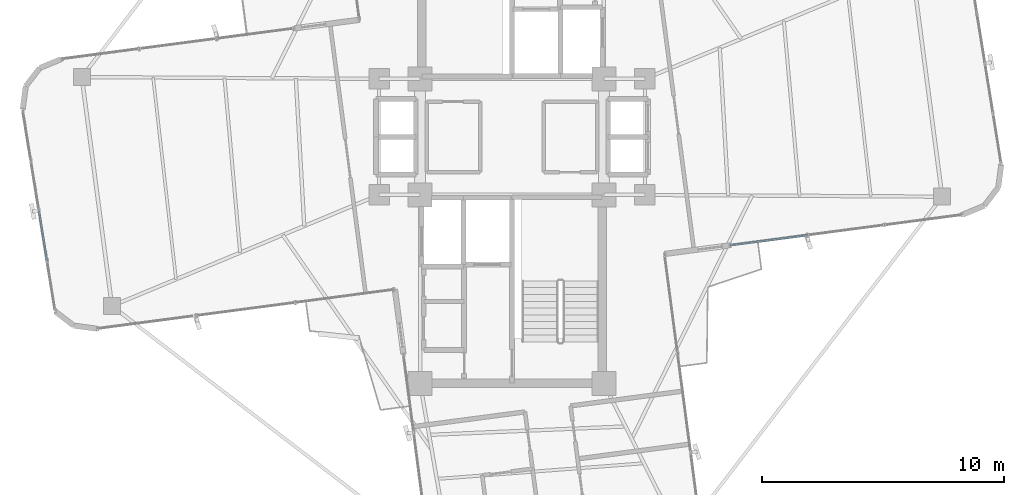
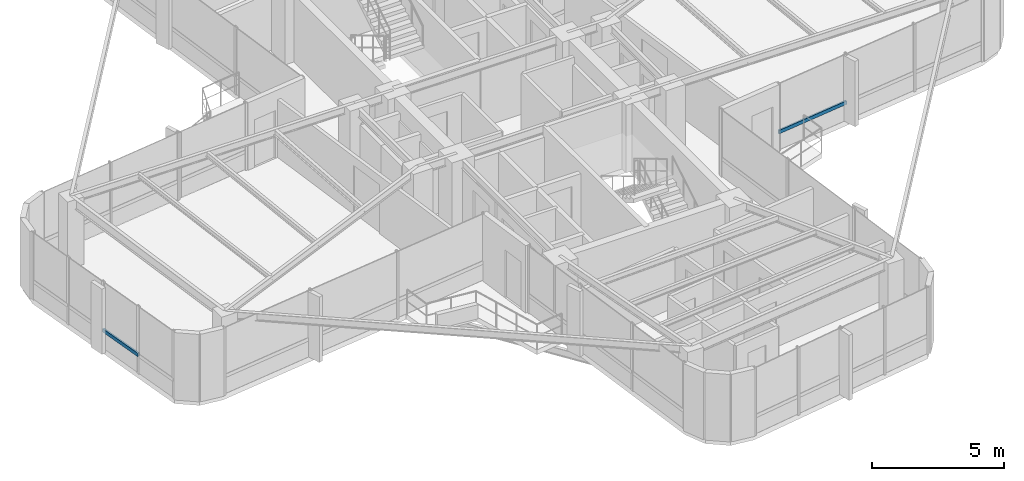
# One storey, part 6 of 22: 2 members, 2 elements without a shape of their own.
"""IFC4 building model written with IfcOpenShell, lengths in metres."""

from ifc_helpers import new_model, si_unit, direction, frame, origin, origin_2d, place, context, subcontext, project, spatial, hollow_rectangle, extrude, source, transform, mapped, material, material_profile, profile_set, type_object, element, aggregate, save


model = new_model("IFC4")

# Units and contexts
model_context = context("Model", 3, precision=1e-05, world=origin(), true_north=direction((0.0, 1.0)))
body_context = subcontext(model_context, "Body", "Model", "MODEL_VIEW")
ifc_project = project(units=[si_unit("LENGTHUNIT", "METRE"), si_unit("AREAUNIT", "SQUARE_METRE"), si_unit("VOLUMEUNIT", "CUBIC_METRE"), si_unit("PLANEANGLEUNIT", "RADIAN"), si_unit("MASSUNIT", "GRAM", prefix="KILO")], contexts=[model_context])

# Site, building, storey
site_placement = place(None, origin())
site = spatial("IfcSite", under=ifc_project, at=site_placement, CompositionType="ELEMENT")
building_placement = place(site_placement, origin())
building = spatial("IfcBuilding", under=site, at=building_placement, Name="Sahyath Konkavel Grand Hotel", CompositionType="ELEMENT")
storey_placement = place(building_placement, frame((0.0, 0.0, 237.800048828125)))
storey = spatial("IfcBuildingStorey", under=building, at=storey_placement, Name="L66", CompositionType="ELEMENT", Elevation=237.800048828125)

# Curtain wall, member
ifc_material_1 = material(Name="Anodised Bronze Aluminium & Low-E Glazing", Category="aluminium")
curtain_wall_type = type_object("IfcCurtainWallType", Name="CW-ZONE4", PredefinedType="NOTDEFINED", material=ifc_material_1)
curtain_wall_1_placement = place(storey_placement, origin())
curtain_wall_1 = element("IfcCurtainWall", 1, at=curtain_wall_1_placement, inside=storey, type_object=curtain_wall_type, Name="L66 Unitised Curtain Wall F0", PredefinedType="NOTDEFINED")
ifc_material_2 = material(Name="Anodised Bronze Aluminium", Category="aluminium")
ifc_material_profile = material_profile(ifc_material_2, hollow_rectangle(XDim=0.080078125, YDim=0.159912109375, WallThickness=0.006103515625, at=origin_2d()), Name="RHS 160x80x6")
ifc_profile_set = profile_set([ifc_material_profile], Name="Anodised Bronze Aluminium")
member_type = type_object("IfcMemberType", Name="CW-TRN-160", PredefinedType="USERDEFINED", material=ifc_profile_set)
shared_shape_1 = source(origin(), body_context, "Body", "SweptSolid", [
    extrude(hollow_rectangle(XDim=0.080078125, YDim=0.159912109375, WallThickness=0.006103515625, at=origin_2d()), origin(), (0.0, 0.0, 1.0), 3.2216796875),
])
member_1_placement = place(storey_placement, frame((9.027587890625, -4.485107421875, 0.849853515625), z_axis=(0.991448878041, 0.130495678972, 0.0), x_axis=(-0.130495678972, 0.991448878041, 0.0)))
member_1 = element("IfcMember", 2, at=member_1_placement, type_object=member_type, Name="L66 Curtain Wall Transom F0-0-spandrel", ObjectType="TRANSOM", PredefinedType="USERDEFINED", context=body_context, shape_type="MappedRepresentation", body=[
    mapped(shared_shape_1, transform((0.0, 0.0, 0.0), scale=1.0)),
])
aggregate(curtain_wall_1, [member_1])

curtain_wall_2_placement = place(storey_placement, origin())
curtain_wall_2 = element("IfcCurtainWall", 3, at=curtain_wall_2_placement, inside=storey, type_object=curtain_wall_type, Name="L66 Unitised Curtain Wall F20", PredefinedType="NOTDEFINED")
shared_shape_2 = source(origin(), body_context, "Body", "SweptSolid", [
    extrude(hollow_rectangle(XDim=0.080078125, YDim=0.159912109375, WallThickness=0.006103515625, at=origin_2d()), origin(), (0.0, 0.0, 1.0), 2.099609375),
])
member_2_placement = place(storey_placement, frame((-19.56640625, -3.04248046875, 0.849853515625), z_axis=(0.159418883785, -0.987211030881, 0.0), x_axis=(0.987211030881, 0.159418883785, 0.0)))
member_2 = element("IfcMember", 4, at=member_2_placement, type_object=member_type, Name="L66 Curtain Wall Transom F20-2-spandrel", ObjectType="TRANSOM", PredefinedType="USERDEFINED", context=body_context, shape_type="MappedRepresentation", body=[
    mapped(shared_shape_2, transform((0.0, 0.0, 0.0), scale=1.0)),
])
aggregate(curtain_wall_2, [member_2])

save(model, "model.ifc")
